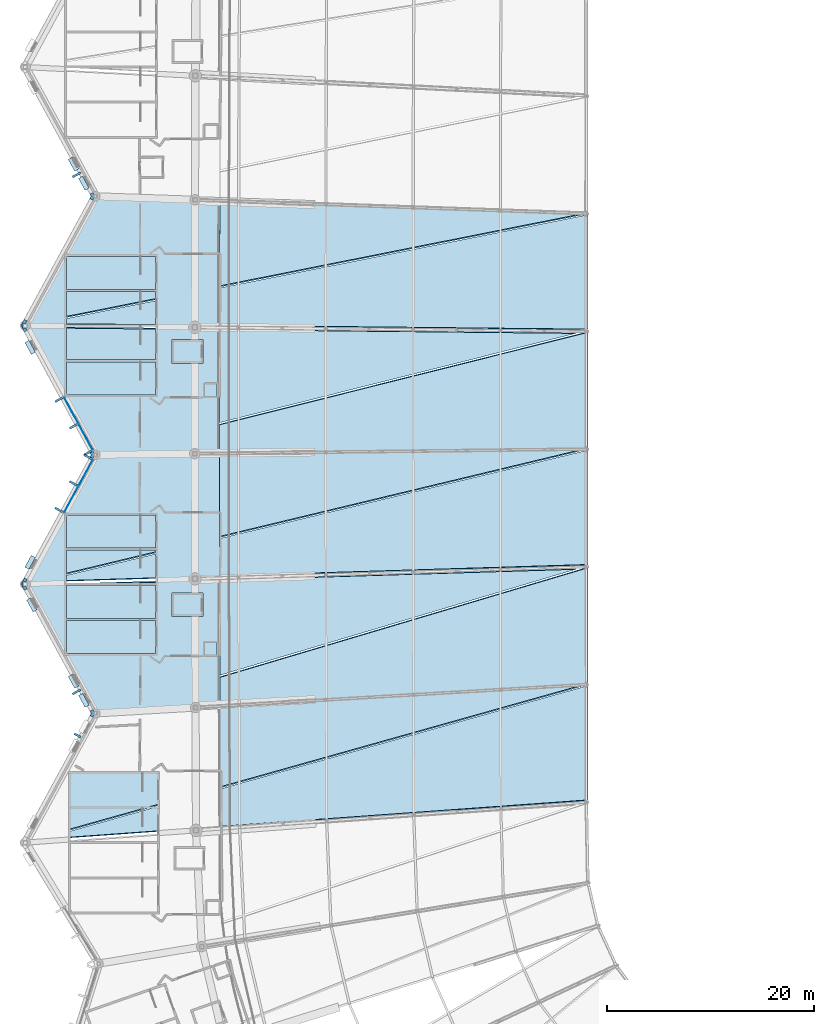
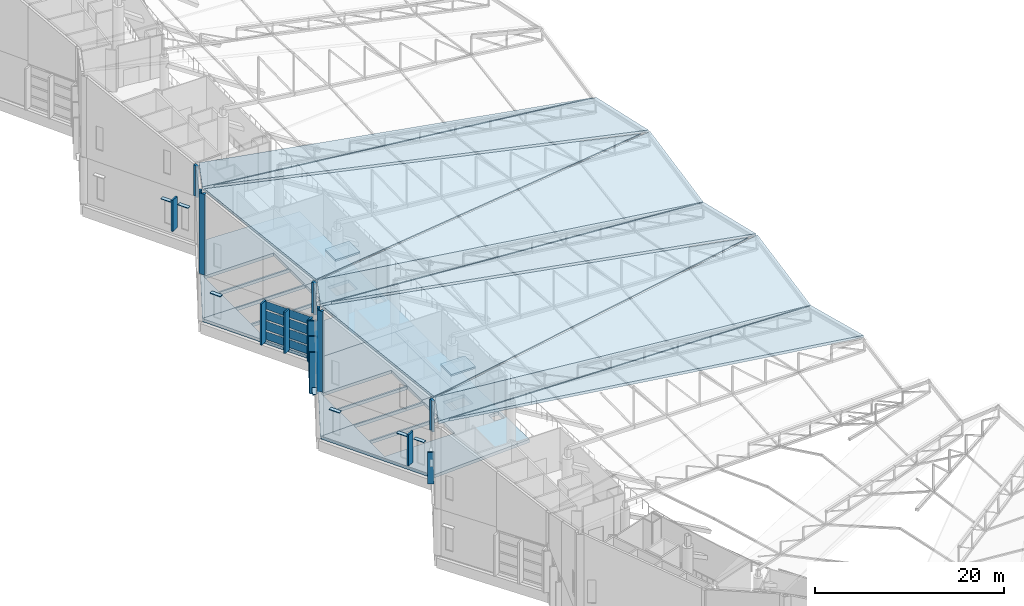
# One storey, part 230 of 344: 37 plates, 17 slabs, 2 elements without a shape of their own.
"""IFC4 building model written with IfcOpenShell, lengths in metres."""

from ifc_helpers import new_model, si_unit, direction, frame, origin, origin_2d, place, context, subcontext, project, spatial, polyline, rectangle, outline, extrude, material, layer, layer_set, type_object, element, aggregate, save


model = new_model("IFC4")

# Units and contexts
model_context = context("Model", 3, precision=1e-05, world=origin(), true_north=direction((0.0, 1.0)))
body_context = subcontext(model_context, "Body", "Model", "MODEL_VIEW")
ifc_project = project(units=[si_unit("LENGTHUNIT", "METRE"), si_unit("AREAUNIT", "SQUARE_METRE"), si_unit("VOLUMEUNIT", "CUBIC_METRE"), si_unit("PLANEANGLEUNIT", "RADIAN"), si_unit("MASSUNIT", "GRAM", prefix="KILO")], contexts=[model_context])

# Site, building, storey
site_placement = place(None, origin())
site = spatial("IfcSite", under=ifc_project, at=site_placement, CompositionType="ELEMENT")
building_placement = place(site_placement, origin())
building = spatial("IfcBuilding", under=site, at=building_placement, Name="Meseta Stadium", CompositionType="ELEMENT")
storey_placement = place(building_placement, frame((0.0, 0.0, 24.0)))
storey = spatial("IfcBuildingStorey", under=building, at=storey_placement, Name="L04", CompositionType="ELEMENT", Elevation=24.0)

# Plates
ifc_material_1 = material(Name="White precast concrete C40/50", Category="concrete")
ifc_layer_1 = layer(ifc_material_1, 0.199951171875)
ifc_layer_set_1 = layer_set([ifc_layer_1], Name="Brise-soleil fin 200x900")
plate_type_1 = type_object("IfcPlateType", Name="Brise-soleil fin 200x900", PredefinedType="USERDEFINED", material=ifc_layer_set_1)
for number, where, z_axis, x_axis, name in (
    (1, (-98.107421875, -0.901123046875, 0.0), (0.0, 0.0, 1.0), (0.477867090202, -0.878432151109, 0.0), "Brise-soleil fin F32.1"),
    (2, (-96.709716796875, -3.470458984375, 0.0), (0.0, 0.0, 1.0), (0.477867090202, -0.878432151109, 0.0), "Brise-soleil fin F32.2"),
    (3, (-95.31201171875, -6.039794921875, 0.0), (0.0, 0.0, 1.0), (0.477867090202, -0.878432151109, 0.0), "Brise-soleil fin F32.3"),
    (4, (-95.31201171875, -6.460205078125, 0.0), (0.0, 0.0, 1.0), (-0.477867090202, -0.878432151109, 0.0), "Brise-soleil fin F33.1"),
    (5, (-96.709716796875, -9.029541015625, 0.0), (0.0, 0.0, 1.0), (-0.477867090202, -0.878432151109, 0.0), "Brise-soleil fin F33.2"),
    (6, (-98.107421875, -11.598876953125, 0.0), (0.0, 0.0, 1.0), (-0.477867090202, -0.878432151109, 0.0), "Brise-soleil fin F33.3"),
):
    element("IfcPlate", number, at=place(storey_placement, frame(where, z_axis=z_axis, x_axis=x_axis)), inside=storey, type_object=plate_type_1, Name=name, ObjectType="FIN", PredefinedType="USERDEFINED", context=body_context, shape_type="SweptSolid", body=[
        extrude(rectangle(XDim=0.199951171875, YDim=0.89990234375, at=origin_2d()), origin(), (0.0, 0.0, 1.0), 5.35009765625),
    ])

# Curtain wall, plates
ifc_material_2 = material(Name="Steel S355", Category="steel")
ifc_layer_2 = layer(ifc_material_2, 0.300048828125)
ifc_layer_set_2 = layer_set([ifc_layer_2], Name="Valley atrium curtain wall")
curtain_wall_type = type_object("IfcCurtainWallType", Name="Valley atrium curtain wall", PredefinedType="NOTDEFINED", material=ifc_layer_set_2)
curtain_wall_1_placement = place(storey_placement, origin())
curtain_wall_1 = element("IfcCurtainWall", 7, at=curtain_wall_1_placement, inside=storey, type_object=curtain_wall_type, Name="Valley atrium glazing F32", PredefinedType="NOTDEFINED")
ifc_material_3 = material(Name="Glass", Category="glass")
ifc_layer_3 = layer(ifc_material_3, 0.035888671875)
ifc_layer_set_3 = layer_set([ifc_layer_3], Name="CW glass panel 36")
plate_type_2 = type_object("IfcPlateType", Name="CW glass panel 36", PredefinedType="CURTAIN_PANEL", material=ifc_layer_set_3)
plate_1_placement = place(storey_placement, frame((-96.947509765625, -1.934814453125, 0.199951171875), z_axis=(0.0, 0.0, 1.0), x_axis=(0.477867090218, -0.8784321511, 0.0)))
plate_1 = element("IfcPlate", 8, at=plate_1_placement, type_object=plate_type_2, Name="CWA panel 1.1", PredefinedType="CURTAIN_PANEL", context=body_context, shape_type="SweptSolid", body=[
    extrude(rectangle(XDim=2.77490234375, YDim=0.035888671875, at=origin_2d()), origin(), (0.0, 0.0, 1.0), 1.03759765625),
])
plate_2_placement = place(storey_placement, frame((-96.947509765625, -1.934814453125, 1.4375), z_axis=(0.0, 0.0, 1.0), x_axis=(0.477867090218, -0.8784321511, 0.0)))
plate_2 = element("IfcPlate", 9, at=plate_2_placement, type_object=plate_type_2, Name="CWA panel 1.2", PredefinedType="CURTAIN_PANEL", context=body_context, shape_type="SweptSolid", body=[
    extrude(rectangle(XDim=2.77490234375, YDim=0.035888671875, at=origin_2d()), origin(), (0.0, 0.0, 1.0), 1.137451171875),
])
plate_3_placement = place(storey_placement, frame((-96.947509765625, -1.934814453125, 2.77490234375), z_axis=(0.0, 0.0, 1.0), x_axis=(0.477867090218, -0.8784321511, 0.0)))
plate_3 = element("IfcPlate", 10, at=plate_3_placement, type_object=plate_type_2, Name="CWA panel 1.3", PredefinedType="CURTAIN_PANEL", context=body_context, shape_type="SweptSolid", body=[
    extrude(rectangle(XDim=2.77490234375, YDim=0.035888671875, at=origin_2d()), origin(), (0.0, 0.0, 1.0), 1.137451171875),
])
plate_4_placement = place(storey_placement, frame((-96.947509765625, -1.934814453125, 4.112548828125), z_axis=(0.0, 0.0, 1.0), x_axis=(0.477867090218, -0.8784321511, 0.0)))
plate_4 = element("IfcPlate", 11, at=plate_4_placement, type_object=plate_type_2, Name="CWA panel 1.4", PredefinedType="CURTAIN_PANEL", context=body_context, shape_type="SweptSolid", body=[
    extrude(rectangle(XDim=2.77490234375, YDim=0.035888671875, at=origin_2d()), origin(), (0.0, 0.0, 1.0), 1.03759765625),
])
plate_5_placement = place(storey_placement, frame((-95.5498046875, -4.504150390625, 0.199951171875), z_axis=(0.0, 0.0, 1.0), x_axis=(0.477867090218, -0.8784321511, 0.0)))
plate_5 = element("IfcPlate", 12, at=plate_5_placement, type_object=plate_type_2, Name="CWA panel 2.1", PredefinedType="CURTAIN_PANEL", context=body_context, shape_type="SweptSolid", body=[
    extrude(rectangle(XDim=2.77490234375, YDim=0.035888671875, at=origin_2d()), origin(), (0.0, 0.0, 1.0), 1.03759765625),
])
plate_6_placement = place(storey_placement, frame((-95.5498046875, -4.504150390625, 1.4375), z_axis=(0.0, 0.0, 1.0), x_axis=(0.477867090218, -0.8784321511, 0.0)))
plate_6 = element("IfcPlate", 13, at=plate_6_placement, type_object=plate_type_2, Name="CWA panel 2.2", PredefinedType="CURTAIN_PANEL", context=body_context, shape_type="SweptSolid", body=[
    extrude(rectangle(XDim=2.77490234375, YDim=0.035888671875, at=origin_2d()), origin(), (0.0, 0.0, 1.0), 1.137451171875),
])
plate_7_placement = place(storey_placement, frame((-95.5498046875, -4.504150390625, 2.77490234375), z_axis=(0.0, 0.0, 1.0), x_axis=(0.477867090218, -0.8784321511, 0.0)))
plate_7 = element("IfcPlate", 14, at=plate_7_placement, type_object=plate_type_2, Name="CWA panel 2.3", PredefinedType="CURTAIN_PANEL", context=body_context, shape_type="SweptSolid", body=[
    extrude(rectangle(XDim=2.77490234375, YDim=0.035888671875, at=origin_2d()), origin(), (0.0, 0.0, 1.0), 1.137451171875),
])
plate_8_placement = place(storey_placement, frame((-95.5498046875, -4.504150390625, 4.112548828125), z_axis=(0.0, 0.0, 1.0), x_axis=(0.477867090218, -0.8784321511, 0.0)))
plate_8 = element("IfcPlate", 15, at=plate_8_placement, type_object=plate_type_2, Name="CWA panel 2.4", PredefinedType="CURTAIN_PANEL", context=body_context, shape_type="SweptSolid", body=[
    extrude(rectangle(XDim=2.77490234375, YDim=0.035888671875, at=origin_2d()), origin(), (0.0, 0.0, 1.0), 1.03759765625),
])
aggregate(curtain_wall_1, [plate_1, plate_2, plate_3, plate_4, plate_5, plate_6, plate_7, plate_8])

curtain_wall_2_placement = place(storey_placement, origin())
curtain_wall_2 = element("IfcCurtainWall", 16, at=curtain_wall_2_placement, inside=storey, type_object=curtain_wall_type, Name="Valley atrium glazing F33", PredefinedType="NOTDEFINED")
plate_9_placement = place(storey_placement, frame((-95.5498046875, -7.995849609375, 0.199951171875), z_axis=(0.0, 0.0, 1.0), x_axis=(-0.477867090218, -0.8784321511, 0.0)))
plate_9 = element("IfcPlate", 17, at=plate_9_placement, type_object=plate_type_2, Name="CWA panel 1.1", PredefinedType="CURTAIN_PANEL", context=body_context, shape_type="SweptSolid", body=[
    extrude(rectangle(XDim=2.77490234375, YDim=0.035888671875, at=origin_2d()), origin(), (0.0, 0.0, 1.0), 1.03759765625),
])
plate_10_placement = place(storey_placement, frame((-95.5498046875, -7.995849609375, 1.4375), z_axis=(0.0, 0.0, 1.0), x_axis=(-0.477867090218, -0.8784321511, 0.0)))
plate_10 = element("IfcPlate", 18, at=plate_10_placement, type_object=plate_type_2, Name="CWA panel 1.2", PredefinedType="CURTAIN_PANEL", context=body_context, shape_type="SweptSolid", body=[
    extrude(rectangle(XDim=2.77490234375, YDim=0.035888671875, at=origin_2d()), origin(), (0.0, 0.0, 1.0), 1.137451171875),
])
plate_11_placement = place(storey_placement, frame((-95.5498046875, -7.995849609375, 2.77490234375), z_axis=(0.0, 0.0, 1.0), x_axis=(-0.477867090218, -0.8784321511, 0.0)))
plate_11 = element("IfcPlate", 19, at=plate_11_placement, type_object=plate_type_2, Name="CWA panel 1.3", PredefinedType="CURTAIN_PANEL", context=body_context, shape_type="SweptSolid", body=[
    extrude(rectangle(XDim=2.77490234375, YDim=0.035888671875, at=origin_2d()), origin(), (0.0, 0.0, 1.0), 1.137451171875),
])
plate_12_placement = place(storey_placement, frame((-95.5498046875, -7.995849609375, 4.112548828125), z_axis=(0.0, 0.0, 1.0), x_axis=(-0.477867090218, -0.8784321511, 0.0)))
plate_12 = element("IfcPlate", 20, at=plate_12_placement, type_object=plate_type_2, Name="CWA panel 1.4", PredefinedType="CURTAIN_PANEL", context=body_context, shape_type="SweptSolid", body=[
    extrude(rectangle(XDim=2.77490234375, YDim=0.035888671875, at=origin_2d()), origin(), (0.0, 0.0, 1.0), 1.03759765625),
])
plate_13_placement = place(storey_placement, frame((-96.947509765625, -10.565185546875, 0.199951171875), z_axis=(0.0, 0.0, 1.0), x_axis=(-0.477867090218, -0.8784321511, 0.0)))
plate_13 = element("IfcPlate", 21, at=plate_13_placement, type_object=plate_type_2, Name="CWA panel 2.1", PredefinedType="CURTAIN_PANEL", context=body_context, shape_type="SweptSolid", body=[
    extrude(rectangle(XDim=2.77490234375, YDim=0.035888671875, at=origin_2d()), origin(), (0.0, 0.0, 1.0), 1.03759765625),
])
plate_14_placement = place(storey_placement, frame((-96.947509765625, -10.565185546875, 1.4375), z_axis=(0.0, 0.0, 1.0), x_axis=(-0.477867090218, -0.8784321511, 0.0)))
plate_14 = element("IfcPlate", 22, at=plate_14_placement, type_object=plate_type_2, Name="CWA panel 2.2", PredefinedType="CURTAIN_PANEL", context=body_context, shape_type="SweptSolid", body=[
    extrude(rectangle(XDim=2.77490234375, YDim=0.035888671875, at=origin_2d()), origin(), (0.0, 0.0, 1.0), 1.137451171875),
])
plate_15_placement = place(storey_placement, frame((-96.947509765625, -10.565185546875, 2.77490234375), z_axis=(0.0, 0.0, 1.0), x_axis=(-0.477867090218, -0.8784321511, 0.0)))
plate_15 = element("IfcPlate", 23, at=plate_15_placement, type_object=plate_type_2, Name="CWA panel 2.3", PredefinedType="CURTAIN_PANEL", context=body_context, shape_type="SweptSolid", body=[
    extrude(rectangle(XDim=2.77490234375, YDim=0.035888671875, at=origin_2d()), origin(), (0.0, 0.0, 1.0), 1.137451171875),
])
plate_16_placement = place(storey_placement, frame((-96.947509765625, -10.565185546875, 4.112548828125), z_axis=(0.0, 0.0, 1.0), x_axis=(-0.477867090218, -0.8784321511, 0.0)))
plate_16 = element("IfcPlate", 24, at=plate_16_placement, type_object=plate_type_2, Name="CWA panel 2.4", PredefinedType="CURTAIN_PANEL", context=body_context, shape_type="SweptSolid", body=[
    extrude(rectangle(XDim=2.77490234375, YDim=0.035888671875, at=origin_2d()), origin(), (0.0, 0.0, 1.0), 1.03759765625),
])
aggregate(curtain_wall_2, [plate_9, plate_10, plate_11, plate_12, plate_13, plate_14, plate_15, plate_16])

# Slabs
ifc_material_4 = material(Name="Concrete C40/50", Category="concrete")
ifc_layer_4 = layer(ifc_material_4, 0.25)
ifc_layer_set_4 = layer_set([ifc_layer_4], Name="Core roof slab 250")
slab_type_1 = type_object("IfcSlabType", Name="Core roof slab 250", PredefinedType="ROOF", material=ifc_layer_set_4)
slab_1_placement = place(storey_placement, frame((0.0, 0.0, 4.60009765625)))
element("IfcSlab", 25, at=slab_1_placement, inside=storey, type_object=slab_type_1, Name="Core 17 lift overrun roof", PredefinedType="ROOF", context=body_context, shape_type="SweptSolid", body=[
    extrude(outline(polyline([(-87.199951171875, 4.89990234375), (-84.199951171875, 4.89990234375), (-84.199951171875, 2.60009765625), (-87.199951171875, 2.60009765625), (-87.199951171875, 4.89990234375)])), origin(), (0.0, 0.0, 1.0), 0.25),
])
slab_2_placement = place(storey_placement, frame((0.0, 0.0, 4.60009765625)))
element("IfcSlab", 26, at=slab_2_placement, inside=storey, type_object=slab_type_1, Name="Core 18 lift overrun roof", PredefinedType="ROOF", context=body_context, shape_type="SweptSolid", body=[
    extrude(outline(polyline([(-87.199951171875, -19.60009765625), (-84.199951171875, -19.60009765625), (-84.199951171875, -21.89990234375), (-87.199951171875, -21.89990234375), (-87.199951171875, -19.60009765625)])), origin(), (0.0, 0.0, 1.0), 0.25),
])
ifc_material_5 = material(Name="Concrete C40/50", Category="concrete")
ifc_layer_5 = layer(ifc_material_5, 0.39990234375)
ifc_layer_set_5 = layer_set([ifc_layer_5], Name="Floor slab 400")
slab_type_2 = type_object("IfcSlabType", Name="Floor slab 400", PredefinedType="FLOOR", material=ifc_layer_set_5)
slab_3_placement = place(storey_placement, frame((0.0, 0.0, -0.39990234375)))
element("IfcSlab", 27, at=slab_3_placement, inside=storey, type_object=slab_type_2, Name="Floor slab L04 sector 28 panel 01", PredefinedType="FLOOR", context=body_context, shape_type="SweptSolid", body=[
    extrude(outline(polyline([(-84.9970703125, -6.107421875), (-94.6201171875, -6.212890625), (-94.60009765625, -6.25), (-101.39990234375, -18.75), (-101.340087890625, -18.85986328125), (-94.9599609375, -18.64990234375), (-97.39990234375, -18.64990234375), (-97.39990234375, -15.449951171875), (-88.800048828125, -15.449951171875), (-88.800048828125, -18.447509765625), (-84.978515625, -18.32177734375), (-84.9970703125, -6.107421875)]), holes=[polyline([(-97.39990234375, -12.050048828125), (-88.800048828125, -12.050048828125), (-88.800048828125, -15.25), (-97.39990234375, -15.25), (-97.39990234375, -12.050048828125)])]), origin(), (0.0, 0.0, 1.0), 0.39990234375),
])
slab_4_placement = place(storey_placement, frame((0.0, 0.0, -0.39990234375)))
element("IfcSlab", 28, at=slab_4_placement, inside=storey, type_object=slab_type_2, Name="Floor slab L04 sector 28 panel 04", PredefinedType="FLOOR", context=body_context, shape_type="SweptSolid", body=[
    extrude(outline(polyline([(-88.8798828125, 6.14990234375), (-101.3798828125, 6.287109375), (-101.39990234375, 6.25), (-94.6201171875, -6.212890625), (-82.597412109375, -6.0810546875), (-82.60009765625, 0.0), (-82.597412109375, 6.0810546875), (-84.99755859375, 6.107421875), (-88.800048828125, 6.149169921875), (-88.800048828125, 2.949951171875), (-97.39990234375, 2.949951171875), (-97.39990234375, 6.14990234375), (-88.8798828125, 6.14990234375)]), holes=[polyline([(-87.0, 4.699951171875), (-84.99755859375, 4.699951171875), (-84.39990234375, 4.699951171875), (-84.39990234375, 2.800048828125), (-87.0, 2.800048828125), (-87.0, 4.699951171875)]), polyline([(-88.800048828125, -0.449951171875), (-97.39990234375, -0.449951171875), (-97.39990234375, 2.75), (-88.800048828125, 2.75), (-88.800048828125, -0.449951171875)]), polyline([(-82.85009765625, -0.60009765625), (-84.050048828125, -0.60009765625), (-84.050048828125, 0.60009765625), (-82.85009765625, 0.60009765625), (-82.85009765625, -0.60009765625)])]), origin(), (0.0, 0.0, 1.0), 0.39990234375),
])
slab_5_placement = place(storey_placement, frame((0.0, 0.0, -0.39990234375)))
element("IfcSlab", 29, at=slab_5_placement, inside=storey, type_object=slab_type_2, Name="Floor slab L04 sector 28 panel 05", PredefinedType="FLOOR", context=body_context, shape_type="SweptSolid", body=[
    extrude(outline(polyline([(-94.9599609375, -18.64990234375), (-101.340087890625, -18.85986328125), (-94.70361328125, -31.059326171875), (-82.53759765625, -30.392333984375), (-82.56005859375, -24.32275390625), (-82.577392578125, -18.24267578125), (-88.800048828125, -18.447509765625), (-88.800048828125, -18.64990234375), (-94.9599609375, -18.64990234375)]), holes=[polyline([(-87.0, -21.699951171875), (-87.0, -19.800048828125), (-84.39990234375, -19.800048828125), (-84.39990234375, -21.699951171875), (-87.0, -21.699951171875)]), polyline([(-88.800048828125, -25.449951171875), (-97.39990234375, -25.449951171875), (-97.39990234375, -22.25), (-88.800048828125, -22.25), (-88.800048828125, -25.449951171875)]), polyline([(-88.800048828125, -22.050048828125), (-97.39990234375, -22.050048828125), (-97.39990234375, -18.85009765625), (-88.800048828125, -18.85009765625), (-88.800048828125, -22.050048828125)]), polyline([(-84.050048828125, -25.60009765625), (-84.050048828125, -24.39990234375), (-82.85009765625, -24.39990234375), (-82.85009765625, -25.60009765625), (-84.050048828125, -25.60009765625)])]), origin(), (0.0, 0.0, 1.0), 0.39990234375),
])
slab_6_placement = place(storey_placement, frame((0.0, 0.0, -0.39990234375)))
element("IfcSlab", 30, at=slab_6_placement, inside=storey, type_object=slab_type_2, Name="Floor slab L04 sector 28 panel 07", PredefinedType="FLOOR", context=body_context, shape_type="SweptSolid", body=[
    extrude(outline(polyline([(-88.8798828125, 6.14990234375), (-88.800048828125, 6.14990234375), (-88.800048828125, 6.149169921875), (-82.597412109375, 6.0810546875), (-82.593017578125, 10.135009765625), (-82.582275390625, 16.2158203125), (-82.577392578125, 18.24267578125), (-84.973388671875, 18.321533203125), (-84.97314453125, 18.41064453125), (-94.60009765625, 18.75), (-101.3798828125, 6.287109375), (-88.8798828125, 6.14990234375)]), holes=[polyline([(-97.39990234375, 9.550048828125), (-88.800048828125, 9.550048828125), (-88.800048828125, 6.35009765625), (-97.39990234375, 6.35009765625), (-97.39990234375, 9.550048828125)]), polyline([(-97.39990234375, 12.949951171875), (-88.800048828125, 12.949951171875), (-88.800048828125, 9.75), (-97.39990234375, 9.75), (-97.39990234375, 12.949951171875)])]), origin(), (0.0, 0.0, 1.0), 0.39990234375),
])
slab_7_placement = place(storey_placement, frame((0.0, 0.0, -0.39990234375)))
element("IfcSlab", 31, at=slab_7_placement, inside=storey, type_object=slab_type_2, Name="Floor slab L04 sector 28 panel 08", PredefinedType="FLOOR", context=body_context, shape_type="SweptSolid", body=[
    extrude(outline(polyline([(-82.58642578125, -14.18896484375), (-82.595703125, -8.108154296875), (-82.597412109375, -6.0810546875), (-84.9970703125, -6.107421875), (-84.978271484375, -18.32177734375), (-82.577392578125, -18.24267578125), (-82.58642578125, -14.18896484375)])), origin(), (0.0, 0.0, 1.0), 0.39990234375),
])

# Plates
ifc_material_6 = material(Name="White precast concrete C40/50", Category="concrete")
ifc_layer_6 = layer(ifc_material_6, 0.320068359375)
ifc_layer_set_6 = layer_set([ifc_layer_6], Name="Fold closer plate 320")
plate_type_3 = type_object("IfcPlateType", Name="Fold closer plate 320", PredefinedType="USERDEFINED", material=ifc_layer_set_6)
plate_17_placement = place(storey_placement, frame((0.0, 0.0, 6.0)))
element("IfcPlate", 32, at=plate_17_placement, inside=storey, type_object=plate_type_3, Name="Pleated fascia fold closer L04 F30", ObjectType="CLADDING", PredefinedType="USERDEFINED", context=body_context, shape_type="SweptSolid", body=[
    extrude(outline(polyline([(-95.009765625, 18.75), (-95.131103515625, 18.52685546875), (-94.85009765625, 18.3740234375), (-94.732666015625, 18.590087890625), (-94.7529296875, 18.59033203125), (-94.760009765625, 18.59912109375), (-94.760009765625, 18.89990234375), (-94.75390625, 18.9091796875), (-94.732666015625, 18.909912109375), (-94.85009765625, 19.1259765625), (-95.131103515625, 18.97314453125), (-95.009765625, 18.75)])), origin(), (0.0, 0.0, 1.0), 3.978515625),
])
plate_18_placement = place(storey_placement, frame((0.0, 0.0, 6.0)))
element("IfcPlate", 33, at=plate_18_placement, inside=storey, type_object=plate_type_3, Name="Pleated fascia fold closer L04 F31", ObjectType="CLADDING", PredefinedType="USERDEFINED", context=body_context, shape_type="SweptSolid", body=[
    extrude(outline(polyline([(-101.809814453125, 6.25), (-101.477294921875, 5.638916015625), (-101.1962890625, 5.791748046875), (-101.331298828125, 6.0400390625), (-101.60009765625, 6.0400390625), (-101.6083984375, 6.04443359375), (-101.610107421875, 6.449951171875), (-101.607177734375, 6.45703125), (-101.60009765625, 6.4599609375), (-101.331298828125, 6.4599609375), (-101.1962890625, 6.708251953125), (-101.477294921875, 6.861083984375), (-101.809814453125, 6.25)])), origin(), (0.0, 0.0, 1.0), 10.446044921875),
])
plate_19_placement = place(storey_placement, frame((0.0, 0.0, 6.0)))
element("IfcPlate", 34, at=plate_19_placement, inside=storey, type_object=plate_type_3, Name="Pleated fascia fold closer L04 F32", ObjectType="CLADDING", PredefinedType="USERDEFINED", context=body_context, shape_type="SweptSolid", body=[
    extrude(outline(polyline([(-95.009765625, -6.25), (-95.131103515625, -6.47314453125), (-94.85009765625, -6.6259765625), (-94.732666015625, -6.409912109375), (-94.7529296875, -6.40966796875), (-94.760009765625, -6.40087890625), (-94.760009765625, -6.10009765625), (-94.75390625, -6.0908203125), (-94.732666015625, -6.090087890625), (-94.85009765625, -5.8740234375), (-95.131103515625, -6.02685546875), (-95.009765625, -6.25)])), origin(), (0.0, 0.0, 1.0), 3.978515625),
])
plate_20_placement = place(storey_placement, frame((0.0, 0.0, 6.0)))
element("IfcPlate", 35, at=plate_20_placement, inside=storey, type_object=plate_type_3, Name="Pleated fascia fold closer L04 F33", ObjectType="CLADDING", PredefinedType="USERDEFINED", context=body_context, shape_type="SweptSolid", body=[
    extrude(outline(polyline([(-101.809814453125, -18.75), (-101.477294921875, -19.361083984375), (-101.1962890625, -19.208251953125), (-101.331298828125, -18.9599609375), (-101.60009765625, -18.9599609375), (-101.6083984375, -18.95556640625), (-101.610107421875, -18.550048828125), (-101.607177734375, -18.54296875), (-101.60009765625, -18.5400390625), (-101.331298828125, -18.5400390625), (-101.1962890625, -18.291748046875), (-101.477294921875, -18.138916015625), (-101.809814453125, -18.75)])), origin(), (0.0, 0.0, 1.0), 10.446044921875),
])
plate_21_placement = place(storey_placement, frame((0.0, 0.0, 6.0)))
element("IfcPlate", 36, at=plate_21_placement, inside=storey, type_object=plate_type_3, Name="Pleated fascia fold closer L04 F34", ObjectType="CLADDING", PredefinedType="USERDEFINED", context=body_context, shape_type="SweptSolid", body=[
    extrude(outline(polyline([(-95.009765625, -31.25), (-95.131103515625, -31.47314453125), (-94.85009765625, -31.6259765625), (-94.732666015625, -31.409912109375), (-94.7529296875, -31.40966796875), (-94.760009765625, -31.40087890625), (-94.760009765625, -31.10009765625), (-94.75390625, -31.0908203125), (-94.732666015625, -31.090087890625), (-94.85009765625, -30.8740234375), (-95.131103515625, -31.02685546875), (-95.009765625, -31.25)])), origin(), (0.0, 0.0, 1.0), 3.978515625),
])
ifc_material_7 = material(Name="White precast concrete C40/50", Category="concrete")
ifc_layer_7 = layer(ifc_material_7, 0.080078125)
ifc_layer_set_7 = layer_set([ifc_layer_7], Name="Louvre hood 1300x450")
plate_type_4 = type_object("IfcPlateType", Name="Louvre hood 1300x450", PredefinedType="USERDEFINED", material=ifc_layer_set_7)
for number, where, z_axis, x_axis, name in (
    (37, (-95.7265625, 20.015380859375, 4.25), (0.0, 0.0, 1.0), (0.477867090202, -0.878432151109, 0.0), "Louvre hood L04 F30"),
    (38, (-96.730224609375, 21.860107421875, 4.25), (0.0, 0.0, 1.0), (0.477867090202, -0.878432151109, 0.0), "Louvre hood L04 F30"),
    (39, (-100.919921875, 4.143310546875, 4.25), (0.0, 0.0, 1.0), (0.477867090202, -0.878432151109, 0.0), "Louvre hood L04 F32"),
    (40, (-100.919921875, -16.643310546875, 4.25), (0.0, 0.0, 1.0), (-0.477867090202, -0.878432151109, 0.0), "Louvre hood L04 F33"),
    (41, (-95.7265625, -29.984619140625, 4.25), (0.0, 0.0, 1.0), (0.477867090202, -0.878432151109, 0.0), "Louvre hood L04 F34"),
    (42, (-96.730224609375, -28.139892578125, 4.25), (0.0, 0.0, 1.0), (0.477867090202, -0.878432151109, 0.0), "Louvre hood L04 F34"),
    (43, (-100.744384765625, -20.760986328125, 4.25), (0.0, 0.0, 1.0), (0.477867090202, -0.878432151109, 0.0), "Louvre hood L04 F34"),
):
    element("IfcPlate", number, at=place(storey_placement, frame(where, z_axis=z_axis, x_axis=x_axis)), inside=storey, type_object=plate_type_4, Name=name, ObjectType="LOUVRE", PredefinedType="USERDEFINED", context=body_context, shape_type="SweptSolid", body=[
        extrude(rectangle(XDim=1.300048828125, YDim=0.449951171875, at=origin_2d()), origin(), (0.0, 0.0, 1.0), 0.080078125),
    ])
ifc_material_8 = material(Name="Precast concrete C40/50, terracotta pigment", Category="masonry")
ifc_layer_8 = layer(ifc_material_8, 0.199951171875)
ifc_layer_set_8 = layer_set([ifc_layer_8], Name="Precast concrete C40/50, terracotta pigment")
plate_type_5 = type_object("IfcPlateType", Name="Precast fin 200x700", PredefinedType="USERDEFINED", material=ifc_layer_set_8)
plate_22_placement = place(storey_placement, frame((-96.338134765625, -33.378173828125, 0.9501953125), z_axis=(0.0, 0.0, 1.0), x_axis=(0.47786723231, 0.878432073802, 0.0)))
element("IfcPlate", 44, at=plate_22_placement, inside=storey, type_object=plate_type_5, Name="Precast fin L04 F35.2", ObjectType="FIN", PredefinedType="USERDEFINED", context=body_context, shape_type="SweptSolid", body=[
    extrude(rectangle(XDim=0.199951171875, YDim=0.699951171875, at=origin_2d()), origin(), (0.0, 0.0, 1.0), 4.050048828125),
])
ifc_material_9 = material(Name="Precast concrete C40/50, terracotta pigment", Category="masonry")
ifc_layer_9 = layer(ifc_material_9, 0.199951171875)
ifc_layer_set_9 = layer_set([ifc_layer_9], Name="Precast concrete C40/50, terracotta pigment")
plate_type_6 = type_object("IfcPlateType", Name="Precast fin 200x900", PredefinedType="USERDEFINED", material=ifc_layer_set_9)
for number, where, z_axis, x_axis, name in (
    (45, (-96.426025390625, 20.830322265625, 0.9501953125), (0.0, 0.0, 1.0), (-0.47786723231, 0.878432073802, 0.0), "Precast fin L04 F30.1"),
    (46, (-96.426025390625, -29.169677734375, 0.9501953125), (0.0, 0.0, 1.0), (-0.47786723231, 0.878432073802, 0.0), "Precast fin L04 F34.1"),
):
    element("IfcPlate", number, at=place(storey_placement, frame(where, z_axis=z_axis, x_axis=x_axis)), inside=storey, type_object=plate_type_6, Name=name, ObjectType="FIN", PredefinedType="USERDEFINED", context=body_context, shape_type="SweptSolid", body=[
        extrude(rectangle(XDim=0.199951171875, YDim=0.89990234375, at=origin_2d()), origin(), (0.0, 0.0, 1.0), 4.050048828125),
    ])

# Slabs
ifc_material_10 = material(Name="Precast concrete C40/50", Category="concrete")
ifc_layer_10 = layer(ifc_material_10, 0.300048828125)
ifc_layer_set_10 = layer_set([ifc_layer_10], Name="Roof plate 300")
slab_type_3 = type_object("IfcSlabType", Name="Roof plate 300", PredefinedType="ROOF", material=ifc_layer_set_10)
slab_8_placement = place(storey_placement, frame((-99.86962890625, 6.453857421875, 16.630126953125), z_axis=(0.202408745245, 0.213715432248, 0.955696821104), x_axis=(0.951195619087, 0.189218387224, -0.24376894012)))
element("IfcSlab", 47, at=slab_8_placement, inside=storey, type_object=slab_type_3, Name="Roof panel RP-31 A", PredefinedType="ROOF", context=body_context, shape_type="SweptSolid", body=[
    extrude(outline(polyline([(0.0, 0.0), (55.585624737372356, 4.440892098500626e-16), (52.88695895101347, -11.008650464780512), (0.0, 0.0)])), origin(), (0.0, 0.0, -1.0), 0.300048828125),
])
slab_9_placement = place(storey_placement, frame((-94.60009765625, 18.75, 10.199951171875), z_axis=(0.149499670245, 0.408503820844, 0.900430162174), x_axis=(0.988330193315, -0.034834668397, -0.148290171148)))
element("IfcSlab", 48, at=slab_9_placement, inside=storey, type_object=slab_type_3, Name="Roof panel RP-31 B", PredefinedType="ROOF", context=body_context, shape_type="SweptSolid", body=[
    extrude(outline(polyline([(0.0, 0.0), (47.75628117871226, 0.0), (-7.231573741167602, -13.864514964051226), (0.0, 0.0)])), origin(), (0.0, 0.0, -1.0), 0.300048828125),
])
slab_10_placement = place(storey_placement, frame((-46.999755859375, -5.690673828125, 3.29052734375), z_axis=(0.143098756284, -0.197096009038, 0.969884482385), x_axis=(-0.989561852782, -0.011628951967, 0.143638807412)))
element("IfcSlab", 49, at=slab_10_placement, inside=storey, type_object=slab_type_3, Name="Roof panel RP-32 A", PredefinedType="ROOF", context=body_context, shape_type="SweptSolid", body=[
    extrude(outline(polyline([(0.0, 0.0), (47.67784413739226, 0.0), (0.19810288526602532, -11.509879023938636), (0.0, 0.0)])), origin(), (0.0, 0.0, -1.0), 0.300048828125),
])
slab_11_placement = place(storey_placement, frame((-101.28662109375, 6.04150390625, 16.886474609375), z_axis=(0.184958319212, -0.390079519856, 0.902013518936), x_axis=(0.978703191734, -0.010059451025, -0.205033826316)))
element("IfcSlab", 50, at=slab_11_placement, inside=storey, type_object=slab_type_3, Name="Roof panel RP-32 B", PredefinedType="ROOF", context=body_context, shape_type="SweptSolid", body=[
    extrude(outline(polyline([(0.0, 0.0), (54.291489345288284, 0.0), (7.98501676327216, -13.173192358925505), (0.0, 0.0)])), origin(), (0.0, 0.0, -1.0), 0.300048828125),
])
slab_12_placement = place(storey_placement, frame((-99.867431640625, -18.4833984375, 16.637939453125), z_axis=(0.185976365629, 0.228482599211, 0.955619429106), x_axis=(0.944431829299, 0.226719115085, -0.238006224)))
element("IfcSlab", 51, at=slab_12_placement, inside=storey, type_object=slab_type_3, Name="Roof panel RP-33 A", PredefinedType="ROOF", context=body_context, shape_type="SweptSolid", body=[
    extrude(outline(polyline([(0.0, 0.0), (55.97854528169793, -8.881784197001252e-16), (52.84409016336008, -10.931937588333309), (0.0, 0.0)])), origin(), (0.0, 0.0, -1.0), 0.300048828125),
])
slab_13_placement = place(storey_placement, frame((-94.60009765625, -6.25, 10.199951171875), z_axis=(0.125492664306, 0.420542825187, 0.898551792268), x_axis=(0.98956132332, 0.01162292295, -0.143642942925)))
element("IfcSlab", 52, at=slab_13_placement, inside=storey, type_object=slab_type_3, Name="Roof panel RP-33 B", PredefinedType="ROOF", context=body_context, shape_type="SweptSolid", body=[
    extrude(outline(polyline([(0.0, 0.0), (47.68157038751654, 8.881784197001252e-16), (-7.782354290113764, -13.558416236160376), (0.0, 0.0)])), origin(), (0.0, 0.0, -1.0), 0.300048828125),
])
slab_14_placement = place(storey_placement, frame((-46.990966796875, -28.453369140625, 3.7294921875), z_axis=(0.143309945884, -0.1944806594, 0.97038112746), x_axis=(-0.989215714087, -0.058109372585, 0.134445423209)))
element("IfcSlab", 53, at=slab_14_placement, inside=storey, type_object=slab_type_3, Name="Roof panel RP-34 A", PredefinedType="ROOF", context=body_context, shape_type="SweptSolid", body=[
    extrude(outline(polyline([(0.0, 0.0), (47.69847603443747, 0.0), (-0.3456059547069046, -11.498821843491665), (0.0, 0.0)])), origin(), (0.0, 0.0, -1.0), 0.300048828125),
])
slab_15_placement = place(storey_placement, frame((-101.2890625, -18.953857421875, 16.88916015625), z_axis=(0.194113262451, -0.385203453924, 0.902185313794), x_axis=(0.979756077818, 0.030217915797, -0.197901252)))
element("IfcSlab", 54, at=slab_15_placement, inside=storey, type_object=slab_type_3, Name="Roof panel RP-34 B", PredefinedType="ROOF", context=body_context, shape_type="SweptSolid", body=[
    extrude(outline(polyline([(0.0, 0.0), (54.26080503017794, -8.881784197001252e-16), (7.456209639584778, -13.48764880214586), (0.0, 0.0)])), origin(), (0.0, 0.0, -1.0), 0.300048828125),
])
slab_16_placement = place(storey_placement, frame((-99.8642578125, -43.420166015625, 16.651611328125), z_axis=(0.163832267308, 0.246042309226, 0.955312603424), x_axis=(0.937190981478, 0.263480969568, -0.228584432784)))
element("IfcSlab", 55, at=slab_16_placement, inside=storey, type_object=slab_type_3, Name="Roof panel RP-35 A", PredefinedType="ROOF", context=body_context, shape_type="SweptSolid", body=[
    extrude(outline(polyline([(0.0, 0.0), (56.416773166361104, 4.440892098500626e-16), (52.859868132725616, -10.85182777893812), (0.0, 0.0)])), origin(), (0.0, 0.0, -1.0), 0.300048828125),
])
slab_17_placement = place(storey_placement, frame((-94.60009765625, -31.25, 10.199951171875), z_axis=(0.096151630916, 0.434792076243, 0.895382998671), x_axis=(0.989216258517, 0.058104880026, -0.134443359088)))
element("IfcSlab", 56, at=slab_17_placement, inside=storey, type_object=slab_type_3, Name="Roof panel RP-35 B", PredefinedType="ROOF", context=body_context, shape_type="SweptSolid", body=[
    extrude(outline(polyline([(0.0, 0.0), (47.693760543430166, 0.0), (-8.291598865147622, -13.248057424767351), (0.0, 0.0)])), origin(), (0.0, 0.0, -1.0), 0.300048828125),
])

save(model, "model.ifc")
